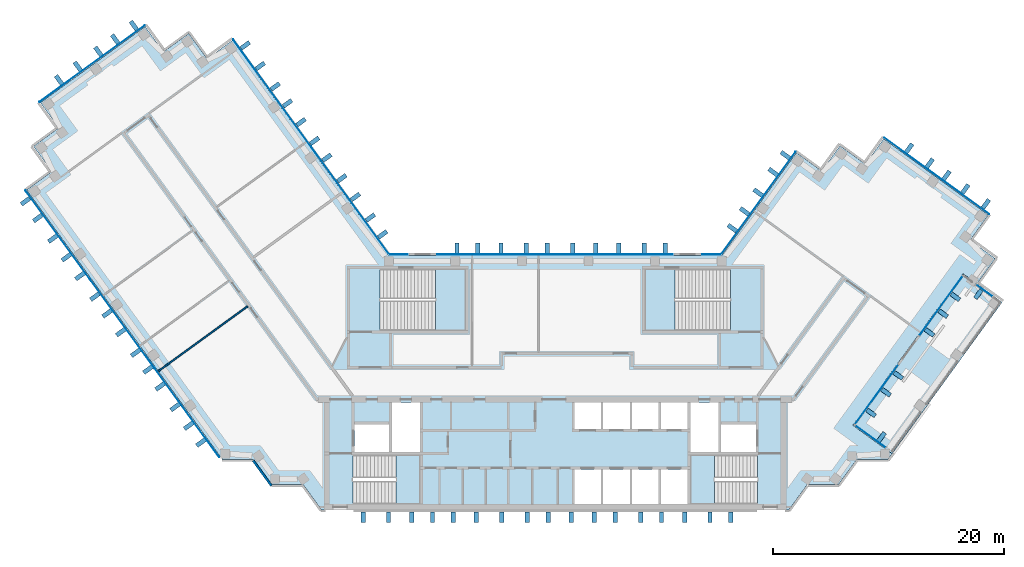
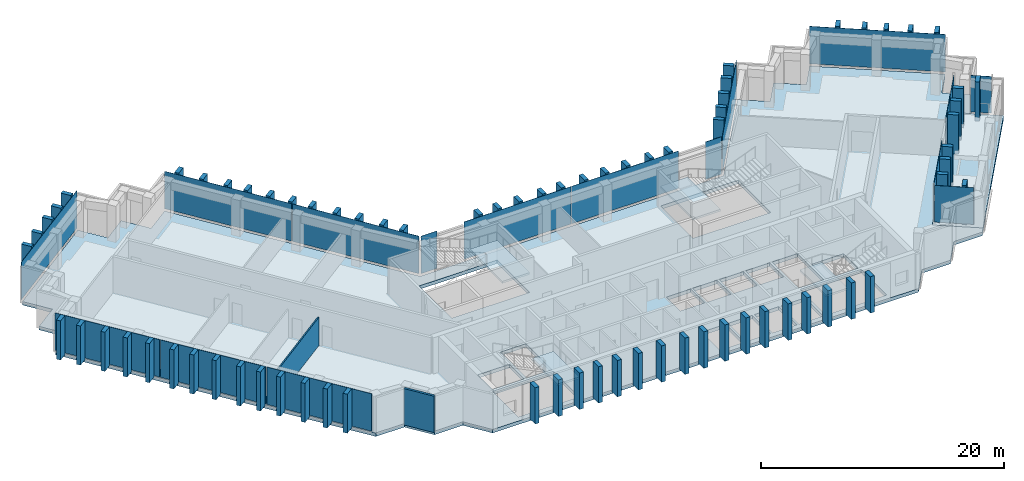
"""IFC4 building model written with IfcOpenShell, lengths in metres."""

from ifc_helpers import new_model, si_unit, direction, frame, frame_2d, origin, origin_2d, place, context, subcontext, project, spatial, polyline, rectangle, outline, extrude, material, layer, layer_set, type_object, element, aggregate, save


model = new_model("IFC4")

# Units and contexts
model_context = context("Model", 3, precision=1e-05, world=origin(), true_north=direction((0.0, 1.0)))
body_context = subcontext(model_context, "Body", "Model", "MODEL_VIEW")
ifc_project = project(units=[si_unit("LENGTHUNIT", "METRE"), si_unit("AREAUNIT", "SQUARE_METRE"), si_unit("VOLUMEUNIT", "CUBIC_METRE"), si_unit("PLANEANGLEUNIT", "RADIAN"), si_unit("MASSUNIT", "GRAM", prefix="KILO")], contexts=[model_context])

# Site, building, storey
site_placement = place(None, origin())
site = spatial("IfcSite", under=ifc_project, at=site_placement, CompositionType="ELEMENT")
building_placement = place(site_placement, origin())
building = spatial("IfcBuilding", under=site, at=building_placement, Name="Quipu Civic Tower", CompositionType="ELEMENT")
storey_1_placement = place(building_placement, frame((0.0, 0.0, 202.0)))
storey_1 = spatial("IfcBuildingStorey", under=building, at=storey_1_placement, Name="L47", CompositionType="ELEMENT", Elevation=202.0)

# Slab
ifc_material_1 = material(Name="Concrete C40/50", Category="concrete")
ifc_layer_1 = layer(ifc_material_1, 0.35009765625)
ifc_layer_set_1 = layer_set([ifc_layer_1], Name="Concrete C40/50")
slab_type_1 = type_object("IfcSlabType", Name="Floor slab 350 C40/50", PredefinedType="FLOOR", material=ifc_layer_set_1)
slab_1_placement = place(storey_1_placement, frame((0.0, 0.0, -0.35009765625)))
element("IfcSlab", 1, at=slab_1_placement, inside=storey_1, type_object=slab_type_1, Name="Floor slab L47", PredefinedType="FLOOR", context=body_context, shape_type="SweptSolid", body=[
    extrude(outline(polyline([(24.489990234375, -8.81494140625), (21.7900390625, -8.81494140625), (20.205078125, -11.0), (-20.205078125, -11.0), (-21.7900390625, -8.81494140625), (-24.489990234375, -8.81494140625), (-26.080078125, -6.6298828125), (-28.780029296875, -6.6298828125), (-45.7099609375, 16.669921875), (-43.52490234375, 18.260009765625), (-45.114990234375, 20.445068359375), (-42.929931640625, 22.030029296875), (-44.514892578125, 24.215087890625), (-35.455078125, 30.800048828125), (-33.864990234375, 28.614990234375), (-31.68505859375, 30.199951171875), (-30.094970703125, 28.014892578125), (-27.909912109375, 29.60498046875), (-14.39501953125, 11.0), (14.39501953125, 11.0), (20.860107421875, 19.89501953125), (23.0400390625, 18.31005859375), (24.6298828125, 20.4951171875), (26.81494140625, 18.905029296875), (28.39990234375, 21.090087890625), (37.4599609375, 14.5048828125), (35.875, 12.320068359375), (38.06005859375, 10.735107421875), (36.469970703125, 8.550048828125), (35.260009765625, 9.43505859375), (25.735107421875, -3.675048828125), (29.135009765625, -6.139892578125), (28.780029296875, -6.6298828125), (26.080078125, -6.6298828125), (24.489990234375, -8.81494140625)]), holes=[polyline([(1.64990234375, -7.5), (1.64990234375, -10.5), (3.949951171875, -10.5), (3.949951171875, -7.5), (1.64990234375, -7.5)]), polyline([(4.14990234375, -7.5), (4.14990234375, -10.5), (6.449951171875, -10.5), (6.449951171875, -7.5), (4.14990234375, -7.5)]), polyline([(-11.705078125, -6.2548828125), (-17.4951171875, -6.2548828125), (-17.4951171875, -10.4951171875), (-11.705078125, -10.4951171875), (-11.705078125, -6.2548828125)]), polyline([(-17.35009765625, -3.60009765625), (-17.35009765625, -6.0), (-14.35009765625, -6.0), (-14.35009765625, -3.60009765625), (-17.35009765625, -3.60009765625)]), polyline([(-14.10009765625, -1.699951171875), (-14.10009765625, -6.0), (-11.699951171875, -6.0), (-11.699951171875, -1.699951171875), (-14.10009765625, -1.699951171875)]), polyline([(1.64990234375, -1.699951171875), (1.64990234375, -4.0), (3.949951171875, -4.0), (3.949951171875, -1.699951171875), (1.64990234375, -1.699951171875)]), polyline([(4.14990234375, -1.699951171875), (4.14990234375, -4.0), (6.449951171875, -4.0), (6.449951171875, -1.699951171875), (4.14990234375, -1.699951171875)]), polyline([(-7.7548828125, 9.844970703125), (-15.14501953125, 9.844970703125), (-15.14501953125, 4.5048828125), (-7.7548828125, 4.5048828125), (-7.7548828125, 9.844970703125)]), polyline([(6.64990234375, -7.5), (6.64990234375, -10.5), (8.949951171875, -10.5), (8.949951171875, -7.5), (6.64990234375, -7.5)]), polyline([(9.14990234375, -7.5), (9.14990234375, -10.5), (11.449951171875, -10.5), (11.449951171875, -7.5), (9.14990234375, -7.5)]), polyline([(11.705078125, -10.4951171875), (17.4951171875, -10.4951171875), (17.4951171875, -6.2548828125), (11.705078125, -6.2548828125), (11.705078125, -10.4951171875)]), polyline([(14.35009765625, -3.60009765625), (14.35009765625, -6.0), (17.35009765625, -6.0), (17.35009765625, -3.60009765625), (14.35009765625, -3.60009765625)]), polyline([(11.699951171875, -1.699951171875), (11.699951171875, -6.0), (14.10009765625, -6.0), (14.10009765625, -1.699951171875), (11.699951171875, -1.699951171875)]), polyline([(6.64990234375, -1.699951171875), (6.64990234375, -4.0), (8.949951171875, -4.0), (8.949951171875, -1.699951171875), (6.64990234375, -1.699951171875)]), polyline([(9.14990234375, -1.699951171875), (9.14990234375, -4.0), (11.449951171875, -4.0), (11.449951171875, -1.699951171875), (9.14990234375, -1.699951171875)]), polyline([(7.7548828125, 4.5048828125), (15.14501953125, 4.5048828125), (15.14501953125, 9.844970703125), (7.7548828125, 9.844970703125), (7.7548828125, 4.5048828125)])]), origin(), (0.0, 0.0, 1.0), 0.35009765625),
])

# Storey
storey_2_placement = place(building_placement, frame((0.0, 0.0, 198.0)))
storey_2 = spatial("IfcBuildingStorey", under=building, at=storey_2_placement, Name="L46", CompositionType="ELEMENT", Elevation=198.0)

# Curtain wall, plate
ifc_material_2 = material(Name="Insulated glass unit", Category="glass")
curtain_wall_type = type_object("IfcCurtainWallType", Name="Office curtain wall CW1", PredefinedType="NOTDEFINED", material=ifc_material_2)
curtain_wall_1_placement = place(storey_2_placement, origin())
curtain_wall_1 = element("IfcCurtainWall", 2, at=curtain_wall_1_placement, inside=storey_2, type_object=curtain_wall_type, Name="Office curtain wall CW1 L45 run 6", PredefinedType="NOTDEFINED")
ifc_material_3 = material(Name="Insulated glass unit", Category="glass")
ifc_layer_2 = layer(ifc_material_3, 0.028076171875)
ifc_layer_set_2 = layer_set([ifc_layer_2], Name="Insulated glass unit")
plate_type_1 = type_object("IfcPlateType", Name="Glass panel CW1", PredefinedType="CURTAIN_PANEL", material=ifc_layer_set_2)
plate_1_placement = place(storey_1_placement, frame((32.989990234375, 17.87939453125, 0.16015625), z_axis=(0.0, 0.0, 1.0), x_axis=(-0.809015176832, 0.587787753918, 0.0)))
plate_1 = element("IfcPlate", 3, at=plate_1_placement, inside=storey_1, type_object=plate_type_1, Name="CW1 panel 1.3", PredefinedType="CURTAIN_PANEL", context=body_context, shape_type="SweptSolid", body=[
    extrude(rectangle(XDim=11.239990234375, YDim=0.028076171875, at=origin_2d()), origin(), (0.0, 0.0, 1.0), 3.760009765625),
])
aggregate(curtain_wall_1, [plate_1])

curtain_wall_2_placement = place(storey_2_placement, origin())
curtain_wall_2 = element("IfcCurtainWall", 4, at=curtain_wall_2_placement, inside=storey_2, type_object=curtain_wall_type, Name="Office curtain wall CW1 L45 run 11", PredefinedType="NOTDEFINED")
plate_2_placement = place(storey_1_placement, frame((17.590087890625, 15.5673828125, 0.16015625), z_axis=(0.0, 0.0, 1.0), x_axis=(-0.587787771652, -0.809015163947, 0.0)))
plate_2 = element("IfcPlate", 5, at=plate_2_placement, inside=storey_1, type_object=plate_type_1, Name="CW1 panel 1.3", PredefinedType="CURTAIN_PANEL", context=body_context, shape_type="SweptSolid", body=[
    extrude(rectangle(XDim=10.88427734375, YDim=0.028076171875, at=origin_2d()), origin(), (0.0, 0.0, 1.0), 3.760009765625),
])
aggregate(curtain_wall_2, [plate_2])

curtain_wall_3_placement = place(storey_2_placement, origin())
curtain_wall_3 = element("IfcCurtainWall", 6, at=curtain_wall_3_placement, inside=storey_2, type_object=curtain_wall_type, Name="Office curtain wall CW1 L45 run 12", PredefinedType="NOTDEFINED")
plate_3_placement = place(storey_1_placement, frame((13.49951171875, 11.10009765625, 0.16015625), z_axis=(0.0, 0.0, 1.0), x_axis=(-1.0, 0.0, 0.0)))
plate_3 = element("IfcPlate", 7, at=plate_3_placement, inside=storey_1, type_object=plate_type_1, Name="CW1 panel 1.3", PredefinedType="CURTAIN_PANEL", context=body_context, shape_type="SweptSolid", body=[
    extrude(rectangle(XDim=1.529296875, YDim=0.028076171875, at=origin_2d()), origin(), (0.0, 0.0, 1.0), 3.760009765625),
])
aggregate(curtain_wall_3, [plate_3])

# Curtain wall, plates
curtain_wall_4_placement = place(storey_2_placement, origin())
curtain_wall_4 = element("IfcCurtainWall", 8, at=curtain_wall_4_placement, inside=storey_2, type_object=curtain_wall_type, Name="Office curtain wall CW1 L45 run 14", PredefinedType="NOTDEFINED")
plate_4_placement = place(storey_1_placement, frame((5.11181640625, 11.10009765625, 0.16015625), z_axis=(0.0, 0.0, 1.0), x_axis=(-1.0, 0.0, 0.0)))
plate_4 = element("IfcPlate", 9, at=plate_4_placement, inside=storey_1, type_object=plate_type_1, Name="CW1 panel 1.3", PredefinedType="CURTAIN_PANEL", context=body_context, shape_type="SweptSolid", body=[
    extrude(rectangle(XDim=10.1435546875, YDim=0.028076171875, at=origin_2d()), origin(), (0.0, 0.0, 1.0), 3.760009765625),
])
plate_5_placement = place(storey_1_placement, frame((-5.11181640625, 11.10009765625, 0.16015625), z_axis=(0.0, 0.0, 1.0), x_axis=(-1.0, 0.0, 0.0)))
plate_5 = element("IfcPlate", 10, at=plate_5_placement, inside=storey_1, type_object=plate_type_1, Name="CW1 panel 2.3", PredefinedType="CURTAIN_PANEL", context=body_context, shape_type="SweptSolid", body=[
    extrude(rectangle(XDim=10.1435546875, YDim=0.028076171875, at=origin_2d()), origin(), (0.0, 0.0, 1.0), 3.760009765625),
])
aggregate(curtain_wall_4, [plate_4, plate_5])

# Curtain wall, plate
curtain_wall_5_placement = place(storey_2_placement, origin())
curtain_wall_5 = element("IfcCurtainWall", 11, at=curtain_wall_5_placement, inside=storey_2, type_object=curtain_wall_type, Name="Office curtain wall CW1 L45 run 16", PredefinedType="NOTDEFINED")
plate_6_placement = place(storey_1_placement, frame((-13.49951171875, 11.10009765625, 0.16015625), z_axis=(0.0, 0.0, 1.0), x_axis=(-1.0, 0.0, 0.0)))
plate_6 = element("IfcPlate", 12, at=plate_6_placement, inside=storey_1, type_object=plate_type_1, Name="CW1 panel 1.3", PredefinedType="CURTAIN_PANEL", context=body_context, shape_type="SweptSolid", body=[
    extrude(rectangle(XDim=1.529296875, YDim=0.028076171875, at=origin_2d()), origin(), (0.0, 0.0, 1.0), 3.760009765625),
])
aggregate(curtain_wall_5, [plate_6])

# Curtain wall, plates
curtain_wall_6_placement = place(storey_2_placement, origin())
curtain_wall_6 = element("IfcCurtainWall", 13, at=curtain_wall_6_placement, inside=storey_2, type_object=curtain_wall_type, Name="Office curtain wall CW1 L45 run 17", PredefinedType="NOTDEFINED")
plate_7_placement = place(storey_1_placement, frame((-17.7421875, 15.777099609375, 0.16015625), z_axis=(0.0, 0.0, 1.0), x_axis=(-0.587788727052, 0.809014469803, 0.0)))
plate_7 = element("IfcPlate", 14, at=plate_7_placement, inside=storey_1, type_object=plate_type_1, Name="CW1 panel 1.3", PredefinedType="CURTAIN_PANEL", context=body_context, shape_type="SweptSolid", body=[
    extrude(rectangle(XDim=11.402099609375, YDim=0.028076171875, at=origin_2d()), origin(), (0.0, 0.0, 1.0), 3.760009765625),
])
plate_8_placement = place(storey_1_placement, frame((-24.491455078125, 25.066162109375, 0.16015625), z_axis=(0.0, 0.0, 1.0), x_axis=(-0.587788727052, 0.809014469803, 0.0)))
plate_8 = element("IfcPlate", 15, at=plate_8_placement, inside=storey_1, type_object=plate_type_1, Name="CW1 panel 2.3", PredefinedType="CURTAIN_PANEL", context=body_context, shape_type="SweptSolid", body=[
    extrude(rectangle(XDim=11.402099609375, YDim=0.028076171875, at=origin_2d()), origin(), (0.0, 0.0, 1.0), 3.760009765625),
])
aggregate(curtain_wall_6, [plate_7, plate_8])

# Curtain wall, plate
curtain_wall_7_placement = place(storey_2_placement, origin())
curtain_wall_7 = element("IfcCurtainWall", 16, at=curtain_wall_7_placement, inside=storey_2, type_object=curtain_wall_type, Name="Office curtain wall CW1 L45 run 22", PredefinedType="NOTDEFINED")
plate_9_placement = place(storey_1_placement, frame((-40.04345703125, 27.58740234375, 0.16015625), z_axis=(0.0, 0.0, 1.0), x_axis=(-0.809015176832, -0.587787753918, 0.0)))
plate_9 = element("IfcPlate", 17, at=plate_9_placement, inside=storey_1, type_object=plate_type_1, Name="CW1 panel 1.3", PredefinedType="CURTAIN_PANEL", context=body_context, shape_type="SweptSolid", body=[
    extrude(rectangle(XDim=11.239990234375, YDim=0.028076171875, at=origin_2d()), origin(), (0.0, 0.0, 1.0), 3.760009765625),
])
aggregate(curtain_wall_7, [plate_9])

# Curtain wall, plates
curtain_wall_8_placement = place(storey_2_placement, origin())
curtain_wall_8 = element("IfcCurtainWall", 18, at=curtain_wall_8_placement, inside=storey_2, type_object=curtain_wall_type, Name="Office curtain wall CW1 L45 run 27", PredefinedType="NOTDEFINED")
plate_10_placement = place(storey_1_placement, frame((-43.030517578125, 12.814208984375, 0.16015625), z_axis=(0.0, 0.0, 1.0), x_axis=(0.5877856923, -0.80901667469, 0.0)))
plate_10 = element("IfcPlate", 19, at=plate_10_placement, inside=storey_1, type_object=plate_type_1, Name="CW1 panel 1.3", PredefinedType="CURTAIN_PANEL", context=body_context, shape_type="SweptSolid", body=[
    extrude(rectangle(XDim=9.43212890625, YDim=0.028076171875, at=origin_2d()), origin(), (0.0, 0.0, 1.0), 3.760009765625),
])
plate_11_placement = place(storey_1_placement, frame((-37.427734375, 5.102783203125, 0.16015625), z_axis=(0.0, 0.0, 1.0), x_axis=(0.5877856923, -0.80901667469, 0.0)))
plate_11 = element("IfcPlate", 20, at=plate_11_placement, inside=storey_1, type_object=plate_type_1, Name="CW1 panel 2.3", PredefinedType="CURTAIN_PANEL", context=body_context, shape_type="SweptSolid", body=[
    extrude(rectangle(XDim=9.471923828125, YDim=0.028076171875, at=origin_2d()), origin(), (0.0, 0.0, 1.0), 3.760009765625),
])
plate_12_placement = place(storey_1_placement, frame((-31.824951171875, -2.60888671875, 0.16015625), z_axis=(0.0, 0.0, 1.0), x_axis=(0.5877856923, -0.80901667469, 0.0)))
plate_12 = element("IfcPlate", 21, at=plate_12_placement, inside=storey_1, type_object=plate_type_1, Name="CW1 panel 3.3", PredefinedType="CURTAIN_PANEL", context=body_context, shape_type="SweptSolid", body=[
    extrude(rectangle(XDim=9.43212890625, YDim=0.028076171875, at=origin_2d()), origin(), (0.0, 0.0, 1.0), 3.760009765625),
])
aggregate(curtain_wall_8, [plate_10, plate_11, plate_12])

# Curtain wall, plate
curtain_wall_9_placement = place(storey_1_placement, origin())
curtain_wall_9 = element("IfcCurtainWall", 22, at=curtain_wall_9_placement, inside=storey_1, type_object=curtain_wall_type, Name="Office curtain wall CW1 L47 run 3", PredefinedType="NOTDEFINED")
plate_13_placement = place(storey_1_placement, frame((27.2509765625, -4.650146484375, 0.240234375), z_axis=(0.0, 0.0, 1.0), x_axis=(-0.809019694131, 0.58778153638, 0.0)))
plate_13 = element("IfcPlate", 23, at=plate_13_placement, type_object=plate_type_1, Name="CW1 panel 1.1", PredefinedType="CURTAIN_PANEL", context=body_context, shape_type="SweptSolid", body=[
    extrude(rectangle(XDim=3.239013671875, YDim=0.028076171875, at=origin_2d()), origin(), (0.0, 0.0, 1.0), 3.679931640625),
])
aggregate(curtain_wall_9, [plate_13])

curtain_wall_10_placement = place(storey_1_placement, origin())
curtain_wall_10 = element("IfcCurtainWall", 24, at=curtain_wall_10_placement, inside=storey_1, type_object=curtain_wall_type, Name="Office curtain wall CW1 L47 run 4", PredefinedType="NOTDEFINED")
plate_14_placement = place(storey_1_placement, frame((27.791748046875, -1.014404296875, 0.240234375), z_axis=(0.0, 0.0, 1.0), x_axis=(0.58779308198, 0.809011305716, 0.0)))
plate_14 = element("IfcPlate", 25, at=plate_14_placement, type_object=plate_type_1, Name="CW1 panel 1.1", PredefinedType="CURTAIN_PANEL", context=body_context, shape_type="SweptSolid", body=[
    extrude(rectangle(XDim=6.3583984375, YDim=0.028076171875, at=origin_2d()), origin(), (0.0, 0.0, 1.0), 3.679931640625),
])
aggregate(curtain_wall_10, [plate_14])

curtain_wall_11_placement = place(storey_1_placement, origin())
curtain_wall_11 = element("IfcCurtainWall", 26, at=curtain_wall_11_placement, inside=storey_1, type_object=curtain_wall_type, Name="Office curtain wall CW1 L47 run 6", PredefinedType="NOTDEFINED")
plate_15_placement = place(storey_1_placement, frame((33.364990234375, 6.65625, 0.240234375), z_axis=(0.0, 0.0, 1.0), x_axis=(0.58778578689, 0.809016605967, 0.0)))
plate_15 = element("IfcPlate", 27, at=plate_15_placement, type_object=plate_type_1, Name="CW1 panel 1.1", PredefinedType="CURTAIN_PANEL", context=body_context, shape_type="SweptSolid", body=[
    extrude(rectangle(XDim=6.358642578125, YDim=0.028076171875, at=origin_2d()), origin(), (0.0, 0.0, 1.0), 3.679931640625),
])
aggregate(curtain_wall_11, [plate_15])

curtain_wall_12_placement = place(storey_1_placement, origin())
curtain_wall_12 = element("IfcCurtainWall", 28, at=curtain_wall_12_placement, inside=storey_1, type_object=curtain_wall_type, Name="Office curtain wall CW1 L47 run 8", PredefinedType="NOTDEFINED")
plate_16_placement = place(storey_1_placement, frame((37.1015625, 7.969970703125, 0.240234375), z_axis=(0.0, 0.0, 1.0), x_axis=(0.809004617224, -0.587802287602, 0.0)))
plate_16 = element("IfcPlate", 29, at=plate_16_placement, type_object=plate_type_1, Name="CW1 panel 1.1", PredefinedType="CURTAIN_PANEL", context=body_context, shape_type="SweptSolid", body=[
    extrude(rectangle(XDim=1.739501953125, YDim=0.028076171875, at=origin_2d()), origin(), (0.0, 0.0, 1.0), 3.679931640625),
])
aggregate(curtain_wall_12, [plate_16])

# Plates
ifc_material_4 = material(Name="Precast concrete C40/50", Category="concrete")
plate_type_2 = type_object("IfcPlateType", Name="Precast fin F2", PredefinedType="SHEET", material=ifc_material_4)
for number, where, z_axis, x_axis, name in (
    (30, (37.2451171875, 15.467529296875, 0.080078125), (0.0, 0.0, 1.0), (-0.809017072762, 0.587785144401, 0.0), "Precast fin F2 L47.P02.1"),
    (31, (35.46533203125, 16.7607421875, 0.080078125), (0.0, 0.0, 1.0), (-0.809017072762, 0.587785144401, 0.0), "Precast fin F2 L47.P02.2"),
    (32, (33.847412109375, 17.936279296875, 0.080078125), (0.0, 0.0, 1.0), (-0.809017072762, 0.587785144401, 0.0), "Precast fin F2 L47.P02.3"),
    (33, (32.39111328125, 18.994384765625, 0.080078125), (0.0, 0.0, 1.0), (-0.809017072762, 0.587785144401, 0.0), "Precast fin F2 L47.P02.4"),
    (34, (30.611328125, 20.287353515625, 0.080078125), (0.0, 0.0, 1.0), (-0.809017072762, 0.587785144401, 0.0), "Precast fin F2 L47.P02.5"),
    (35, (19.897216796875, 19.6787109375, 0.080078125), (0.0, 0.0, 1.0), (-0.58778443384, -0.809017589015, 0.0), "Precast fin F2 L47.P07.1"),
    (36, (18.839111328125, 18.222412109375, 0.080078125), (0.0, 0.0, 1.0), (-0.58778443384, -0.809017589015, 0.0), "Precast fin F2 L47.P07.2"),
    (37, (17.546142578125, 16.442626953125, 0.080078125), (0.0, 0.0, 1.0), (-0.58778443384, -0.809017589015, 0.0), "Precast fin F2 L47.P07.3"),
    (38, (16.370361328125, 14.824462890625, 0.080078125), (0.0, 0.0, 1.0), (-0.58778443384, -0.809017589015, 0.0), "Precast fin F2 L47.P07.4"),
    (39, (15.3125, 13.368408203125, 0.080078125), (0.0, 0.0, 1.0), (-0.58778443384, -0.809017589015, 0.0), "Precast fin F2 L47.P07.5"),
    (40, (9.510009765625, 11.64990234375, 0.080078125), (0.0, 0.0, 1.0), (-1.0, 0.0, 0.0), "Precast fin F2 L47.P10.1"),
    (41, (7.7099609375, 11.64990234375, 0.080078125), (0.0, 0.0, 1.0), (-1.0, 0.0, 0.0), "Precast fin F2 L47.P10.2"),
    (42, (5.510009765625, 11.64990234375, 0.080078125), (0.0, 0.0, 1.0), (-1.0, 0.0, 0.0), "Precast fin F2 L47.P10.3"),
    (43, (3.510009765625, 11.64990234375, 0.080078125), (0.0, 0.0, 1.0), (-1.0, 0.0, 0.0), "Precast fin F2 L47.P10.4"),
    (44, (1.510009765625, 11.64990234375, 0.080078125), (0.0, 0.0, 1.0), (-1.0, 0.0, 0.0), "Precast fin F2 L47.P10.5"),
    (45, (-0.68994140625, 11.64990234375, 0.080078125), (0.0, 0.0, 1.0), (-1.0, 0.0, 0.0), "Precast fin F2 L47.P10.6"),
    (46, (-2.489990234375, 11.64990234375, 0.080078125), (0.0, 0.0, 1.0), (-1.0, 0.0, 0.0), "Precast fin F2 L47.P10.7"),
    (47, (-4.68994140625, 11.64990234375, 0.080078125), (0.0, 0.0, 1.0), (-1.0, 0.0, 0.0), "Precast fin F2 L47.P10.8"),
    (48, (-6.68994140625, 11.64990234375, 0.080078125), (0.0, 0.0, 1.0), (-1.0, 0.0, 0.0), "Precast fin F2 L47.P10.9"),
    (49, (-8.489990234375, 11.64990234375, 0.080078125), (0.0, 0.0, 1.0), (-1.0, 0.0, 0.0), "Precast fin F2 L47.P10.10"),
    (50, (-14.92138671875, 12.830078125, 0.080078125), (0.0, 0.0, 1.0), (-0.587787133119, 0.809015627871, 0.0), "Precast fin F2 L47.P13.1"),
    (51, (-15.9794921875, 14.286376953125, 0.080078125), (0.0, 0.0, 1.0), (-0.587787133119, 0.809015627871, 0.0), "Precast fin F2 L47.P13.2"),
    (52, (-17.272705078125, 16.066162109375, 0.080078125), (0.0, 0.0, 1.0), (-0.587787133119, 0.809015627871, 0.0), "Precast fin F2 L47.P13.3"),
    (53, (-18.4482421875, 17.684326171875, 0.080078125), (0.0, 0.0, 1.0), (-0.587787133119, 0.809015627871, 0.0), "Precast fin F2 L47.P13.4"),
    (54, (-19.741455078125, 19.464111328125, 0.080078125), (0.0, 0.0, 1.0), (-0.587787133119, 0.809015627871, 0.0), "Precast fin F2 L47.P13.5"),
    (55, (-20.79931640625, 20.92041015625, 0.080078125), (0.0, 0.0, 1.0), (-0.587787133119, 0.809015627871, 0.0), "Precast fin F2 L47.P13.6"),
    (56, (-21.974853515625, 22.538330078125, 0.080078125), (0.0, 0.0, 1.0), (-0.587787133119, 0.809015627871, 0.0), "Precast fin F2 L47.P13.7"),
    (57, (-23.150390625, 24.156494140625, 0.080078125), (0.0, 0.0, 1.0), (-0.587787133119, 0.809015627871, 0.0), "Precast fin F2 L47.P13.8"),
    (58, (-24.20849609375, 25.612548828125, 0.080078125), (0.0, 0.0, 1.0), (-0.587787133119, 0.809015627871, 0.0), "Precast fin F2 L47.P13.9"),
    (59, (-25.501708984375, 27.392578125, 0.080078125), (0.0, 0.0, 1.0), (-0.587787133119, 0.809015627871, 0.0), "Precast fin F2 L47.P13.10"),
    (60, (-26.794677734375, 29.17236328125, 0.080078125), (0.0, 0.0, 1.0), (-0.587787133119, 0.809015627871, 0.0), "Precast fin F2 L47.P13.11"),
    (61, (-36.434814453125, 30.88916015625, 0.080078125), (0.0, 0.0, 1.0), (-0.809017072762, -0.587785144401, 0.0), "Precast fin F2 L47.P18.1"),
    (62, (-38.052978515625, 29.713623046875, 0.080078125), (0.0, 0.0, 1.0), (-0.809017072762, -0.587785144401, 0.0), "Precast fin F2 L47.P18.2"),
    (63, (-39.50927734375, 28.655517578125, 0.080078125), (0.0, 0.0, 1.0), (-0.809017072762, -0.587785144401, 0.0), "Precast fin F2 L47.P18.3"),
    (64, (-41.2890625, 27.3623046875, 0.080078125), (0.0, 0.0, 1.0), (-0.809017072762, -0.587785144401, 0.0), "Precast fin F2 L47.P18.4"),
    (65, (-42.906982421875, 26.186767578125, 0.080078125), (0.0, 0.0, 1.0), (-0.809017072762, -0.587785144401, 0.0), "Precast fin F2 L47.P18.5"),
    (66, (-45.80078125, 15.69140625, 0.080078125), (0.0, 0.0, 1.0), (0.587785620359, -0.809016726959, 0.0), "Precast fin F2 L47.P23.1"),
    (67, (-44.74267578125, 14.2353515625, 0.080078125), (0.0, 0.0, 1.0), (0.587785620359, -0.809016726959, 0.0), "Precast fin F2 L47.P23.2"),
    (68, (-43.449462890625, 12.455322265625, 0.080078125), (0.0, 0.0, 1.0), (0.587785620359, -0.809016726959, 0.0), "Precast fin F2 L47.P23.3"),
    (69, (-42.27392578125, 10.83740234375, 0.080078125), (0.0, 0.0, 1.0), (0.587785620359, -0.809016726959, 0.0), "Precast fin F2 L47.P23.4"),
    (70, (-41.098388671875, 9.21923828125, 0.080078125), (0.0, 0.0, 1.0), (0.587785620359, -0.809016726959, 0.0), "Precast fin F2 L47.P23.5"),
    (71, (-39.80517578125, 7.439453125, 0.080078125), (0.0, 0.0, 1.0), (0.587785620359, -0.809016726959, 0.0), "Precast fin F2 L47.P23.6"),
    (72, (-38.747314453125, 5.983154296875, 0.080078125), (0.0, 0.0, 1.0), (0.587785620359, -0.809016726959, 0.0), "Precast fin F2 L47.P23.7"),
    (73, (-37.57177734375, 4.365234375, 0.080078125), (0.0, 0.0, 1.0), (0.587785620359, -0.809016726959, 0.0), "Precast fin F2 L47.P23.8"),
    (74, (-36.278564453125, 2.58544921875, 0.080078125), (0.0, 0.0, 1.0), (0.587785620359, -0.809016726959, 0.0), "Precast fin F2 L47.P23.9"),
    (75, (-35.220458984375, 1.129150390625, 0.080078125), (0.0, 0.0, 1.0), (0.587785620359, -0.809016726959, 0.0), "Precast fin F2 L47.P23.10"),
    (76, (-34.16259765625, -0.3271484375, 0.080078125), (0.0, 0.0, 1.0), (0.587785620359, -0.809016726959, 0.0), "Precast fin F2 L47.P23.11"),
    (77, (-32.869384765625, -2.10693359375, 0.080078125), (0.0, 0.0, 1.0), (0.587785620359, -0.809016726959, 0.0), "Precast fin F2 L47.P23.12"),
    (78, (-31.69384765625, -3.724853515625, 0.080078125), (0.0, 0.0, 1.0), (0.587785620359, -0.809016726959, 0.0), "Precast fin F2 L47.P23.13"),
    (79, (-30.6357421875, -5.18115234375, 0.080078125), (0.0, 0.0, 1.0), (0.587785620359, -0.809016726959, 0.0), "Precast fin F2 L47.P23.14"),
):
    element("IfcPlate", number, at=place(storey_1_placement, frame(where, z_axis=z_axis, x_axis=x_axis)), inside=storey_1, type_object=plate_type_2, Name=name, PredefinedType="SHEET", context=body_context, shape_type="SweptSolid", body=[
        extrude(rectangle(XDim=0.3798828125, YDim=0.89990234375, at=origin_2d()), origin(), (0.0, 0.0, 1.0), 3.919921875),
    ])
for number, where, z_axis, x_axis, name in (
    (80, (-16.610107421875, -11.637939453125, 0.0), (0.0, 0.0, 1.0), (1.0, 0.0, 0.0), "Precast fin F2 L47.P30.1"),
    (81, (-14.409912109375, -11.637939453125, 0.0), (0.0, 0.0, 1.0), (1.0, 0.0, 0.0), "Precast fin F2 L47.P30.2"),
    (82, (-12.409912109375, -11.637939453125, 0.0), (0.0, 0.0, 1.0), (1.0, 0.0, 0.0), "Precast fin F2 L47.P30.3"),
    (83, (-10.610107421875, -11.637939453125, 0.0), (0.0, 0.0, 1.0), (1.0, 0.0, 0.0), "Precast fin F2 L47.P30.4"),
    (84, (-8.81005859375, -11.637939453125, 0.0), (0.0, 0.0, 1.0), (1.0, 0.0, 0.0), "Precast fin F2 L47.P30.5"),
    (85, (-6.81005859375, -11.637939453125, 0.0), (0.0, 0.0, 1.0), (1.0, 0.0, 0.0), "Precast fin F2 L47.P30.6"),
    (86, (-4.610107421875, -11.637939453125, 0.0), (0.0, 0.0, 1.0), (1.0, 0.0, 0.0), "Precast fin F2 L47.P30.7"),
    (87, (-2.409912109375, -11.637939453125, 0.0), (0.0, 0.0, 1.0), (1.0, 0.0, 0.0), "Precast fin F2 L47.P30.8"),
    (88, (-0.610107421875, -11.637939453125, 0.0), (0.0, 0.0, 1.0), (1.0, 0.0, 0.0), "Precast fin F2 L47.P30.9"),
    (89, (1.389892578125, -11.637939453125, 0.0), (0.0, 0.0, 1.0), (1.0, 0.0, 0.0), "Precast fin F2 L47.P30.10"),
    (90, (3.389892578125, -11.637939453125, 0.0), (0.0, 0.0, 1.0), (1.0, 0.0, 0.0), "Precast fin F2 L47.P30.11"),
    (91, (5.18994140625, -11.637939453125, 0.0), (0.0, 0.0, 1.0), (1.0, 0.0, 0.0), "Precast fin F2 L47.P30.12"),
    (92, (7.389892578125, -11.637939453125, 0.0), (0.0, 0.0, 1.0), (1.0, 0.0, 0.0), "Precast fin F2 L47.P30.13"),
    (93, (9.18994140625, -11.637939453125, 0.0), (0.0, 0.0, 1.0), (1.0, 0.0, 0.0), "Precast fin F2 L47.P30.14"),
    (94, (11.18994140625, -11.637939453125, 0.0), (0.0, 0.0, 1.0), (1.0, 0.0, 0.0), "Precast fin F2 L47.P30.15"),
    (95, (13.389892578125, -11.637939453125, 0.0), (0.0, 0.0, 1.0), (1.0, 0.0, 0.0), "Precast fin F2 L47.P30.16"),
    (96, (15.18994140625, -11.637939453125, 0.0), (0.0, 0.0, 1.0), (1.0, 0.0, 0.0), "Precast fin F2 L47.P30.17"),
):
    element("IfcPlate", number, at=place(storey_1_placement, frame(where, z_axis=z_axis, x_axis=x_axis)), inside=storey_1, type_object=plate_type_2, Name=name, PredefinedType="SHEET", context=body_context, shape_type="SweptSolid", body=[
        extrude(rectangle(XDim=0.3798828125, YDim=0.89990234375, at=origin_2d()), origin(), (0.0, 0.0, 1.0), 3.64990234375),
    ])
for number, where, z_axis, x_axis, name in (
    (97, (28.229248046875, -4.680908203125, 0.080078125), (0.0, 0.0, 1.0), (-0.809019129244, 0.587782313886, 0.0), "Precast fin F2 L47.3.1"),
    (98, (27.314453125, -2.607177734375, 0.080078125), (0.0, 0.0, 1.0), (0.587790651094, 0.809013071889, 0.0), "Precast fin F2 L47.4.1"),
    (99, (28.607421875, -0.827392578125, 0.080078125), (0.0, 0.0, 1.0), (0.587790651094, 0.809013071889, 0.0), "Precast fin F2 L47.4.2"),
    (100, (29.66552734375, 0.62890625, 0.080078125), (0.0, 0.0, 1.0), (0.587790651094, 0.809013071889, 0.0), "Precast fin F2 L47.4.3"),
    (101, (32.369384765625, 4.350341796875, 0.080078125), (0.0, 0.0, 1.0), (0.587790651094, 0.809013071889, 0.0), "Precast fin F2 L47.6.1"),
    (102, (33.544921875, 5.96826171875, 0.080078125), (0.0, 0.0, 1.0), (0.587790651094, 0.809013071889, 0.0), "Precast fin F2 L47.6.2"),
    (103, (34.60302734375, 7.424560546875, 0.080078125), (0.0, 0.0, 1.0), (0.587790651094, 0.809013071889, 0.0), "Precast fin F2 L47.6.3"),
    (104, (36.59375, 7.6591796875, 0.080078125), (0.0, 0.0, 1.0), (0.809010903145, -0.587793636059, 0.0), "Precast fin F2 L47.8.1"),
):
    element("IfcPlate", number, at=place(storey_1_placement, frame(where, z_axis=z_axis, x_axis=x_axis)), inside=storey_1, type_object=plate_type_2, Name=name, PredefinedType="SHEET", context=body_context, shape_type="SweptSolid", body=[
        extrude(rectangle(XDim=0.3798828125, YDim=0.89990234375, at=origin_2d()), origin(), (0.0, 0.0, 1.0), 3.919921875),
    ])

# Stair, slab
ifc_material_5 = material(Name="Concrete C40/50", Category="concrete")
stair_type_1 = type_object("IfcStairType", Name="Half turn stair 2000", PredefinedType="HALF_TURN_STAIR", material=ifc_material_5)
stair_1_placement = place(storey_1_placement, origin())
stair_1 = element("IfcStair", 105, at=stair_1_placement, inside=storey_1, type_object=stair_type_1, Name="Exit stair 1", PredefinedType="HALF_TURN_STAIR")
ifc_material_6 = material(Name="Concrete C40/50", Category="concrete")
ifc_layer_3 = layer(ifc_material_6, 0.199951171875)
ifc_layer_set_3 = layer_set([ifc_layer_3], Name="Concrete C40/50")
slab_type_2 = type_object("IfcSlabType", Name="Stair landing 200", PredefinedType="LANDING", material=ifc_layer_set_3)
slab_2_placement = place(storey_1_placement, frame((0.0, 0.0, 1.800048828125)))
slab_2 = element("IfcSlab", 106, at=slab_2_placement, type_object=slab_type_2, Name="ST-1 landing 1", PredefinedType="LANDING", context=body_context, shape_type="SweptSolid", body=[
    extrude(outline(polyline([(-13.780029296875, -10.5), (-11.699951171875, -10.5), (-11.699951171875, -6.25), (-13.780029296875, -6.25), (-13.780029296875, -10.5)])), origin(), (0.0, 0.0, 1.0), 0.199951171875),
])
aggregate(stair_1, [slab_2])

stair_2_placement = place(storey_1_placement, origin())
stair_2 = element("IfcStair", 107, at=stair_2_placement, inside=storey_1, type_object=stair_type_1, Name="Exit stair 2", PredefinedType="HALF_TURN_STAIR")
slab_3_placement = place(storey_1_placement, frame((0.0, 0.0, 1.800048828125)))
slab_3 = element("IfcSlab", 108, at=slab_3_placement, type_object=slab_type_2, Name="ST-2 landing 1", PredefinedType="LANDING", context=body_context, shape_type="SweptSolid", body=[
    extrude(outline(polyline([(13.780029296875, -6.25), (11.699951171875, -6.25), (11.699951171875, -10.5), (13.780029296875, -10.5), (13.780029296875, -6.25)])), origin(), (0.0, 0.0, 1.0), 0.199951171875),
])
aggregate(stair_2, [slab_3])

ifc_material_7 = material(Name="Concrete C40/50", Category="concrete")
stair_type_2 = type_object("IfcStairType", Name="Half turn stair 2600", PredefinedType="HALF_TURN_STAIR", material=ifc_material_7)
stair_3_placement = place(storey_1_placement, origin())
stair_3 = element("IfcStair", 109, at=stair_3_placement, inside=storey_1, type_object=stair_type_2, Name="Exit stair 3", PredefinedType="HALF_TURN_STAIR")
slab_4_placement = place(storey_1_placement, frame((0.0, 0.0, 1.800048828125)))
slab_4 = element("IfcSlab", 110, at=slab_4_placement, type_object=slab_type_2, Name="ST-3 landing 1", PredefinedType="LANDING", context=body_context, shape_type="SweptSolid", body=[
    extrude(outline(polyline([(-10.35009765625, 4.5), (-7.75, 4.5), (-7.75, 9.85009765625), (-10.35009765625, 9.85009765625), (-10.35009765625, 4.5)])), origin(), (0.0, 0.0, 1.0), 0.199951171875),
])
aggregate(stair_3, [slab_4])

stair_4_placement = place(storey_1_placement, origin())
stair_4 = element("IfcStair", 111, at=stair_4_placement, inside=storey_1, type_object=stair_type_2, Name="Exit stair 4", PredefinedType="HALF_TURN_STAIR")
slab_5_placement = place(storey_1_placement, frame((0.0, 0.0, 1.800048828125)))
slab_5 = element("IfcSlab", 112, at=slab_5_placement, type_object=slab_type_2, Name="ST-4 landing 1", PredefinedType="LANDING", context=body_context, shape_type="SweptSolid", body=[
    extrude(outline(polyline([(10.35009765625, 9.85009765625), (7.75, 9.85009765625), (7.75, 4.5), (10.35009765625, 4.5), (10.35009765625, 9.85009765625)])), origin(), (0.0, 0.0, 1.0), 0.199951171875),
])
aggregate(stair_4, [slab_5])

# Slab
ifc_material_8 = material(Name="Concrete C40/50", Category="concrete")
ifc_layer_4 = layer(ifc_material_8, 0.35009765625)
ifc_layer_set_4 = layer_set([ifc_layer_4], Name="Concrete C40/50")
slab_type_3 = type_object("IfcSlabType", Name="Terrace slab 350 C40/50", PredefinedType="FLOOR", material=ifc_layer_set_4)
slab_6_placement = place(storey_1_placement, frame((0.0, 0.0, -0.35009765625)))
element("IfcSlab", 113, at=slab_6_placement, inside=storey_1, type_object=slab_type_3, Name="Terrace slab L47", PredefinedType="FLOOR", context=body_context, shape_type="SweptSolid", body=[
    extrude(outline(polyline([(38.655029296875, 6.965087890625), (29.135009765625, -6.139892578125), (25.735107421875, -3.675048828125), (35.260009765625, 9.43505859375), (38.655029296875, 6.965087890625)])), origin(), (0.0, 0.0, 1.0), 0.35009765625),
])

# Walls
ifc_material_9 = material(Name="Gypsum plasterboard on light gauge framing")
ifc_layer_5 = layer(ifc_material_9, 0.1201171875)
ifc_layer_set_5 = layer_set([ifc_layer_5], Name="Gypsum plasterboard on light gauge framing")
wall_type_1 = type_object("IfcWallType", Name="Partition 120 plasterboard", PredefinedType="PARTITIONING", material=ifc_layer_set_5)
wall_1_placement = place(storey_1_placement, frame((-26.59521484375, 6.61083984375, 0.0), z_axis=(0.0, 0.0, 1.0), x_axis=(-0.80900684162, -0.587799226107, 0.0)))
element("IfcWall", 114, at=wall_1_placement, inside=storey_1, type_object=wall_type_1, Name="Partition P09", PredefinedType="PARTITIONING", context=body_context, shape_type="SweptSolid", body=[
    extrude(rectangle(XDim=9.550048828125, YDim=0.1201171875, at=frame_2d((4.77490234375, 0.0))), origin(), (0.0, 0.0, 1.0), 2.85009765625),
])
ifc_material_10 = material(Name="Precast concrete C40/50", Category="concrete")
wall_type_2 = type_object("IfcWallType", Name="Precast cladding wall", PredefinedType="SOLIDWALL", material=ifc_material_10)
wall_2_placement = place(storey_1_placement, frame((-26.1201171875, -6.72412109375, 0.0), z_axis=(0.0, 0.0, 1.0), x_axis=(0.587720002413, -0.809064397168, 0.0)))
element("IfcWall", 115, at=wall_2_placement, inside=storey_1, type_object=wall_type_2, Name="Precast cladding wall L47 P25", PredefinedType="SOLIDWALL", context=body_context, shape_type="SweptSolid", body=[
    extrude(rectangle(XDim=2.7001953125, YDim=0.199951171875, at=frame_2d((1.35009765625, 0.0))), origin(), (0.0, 0.0, 1.0), 3.64990234375),
])

save(model, "model.ifc")
